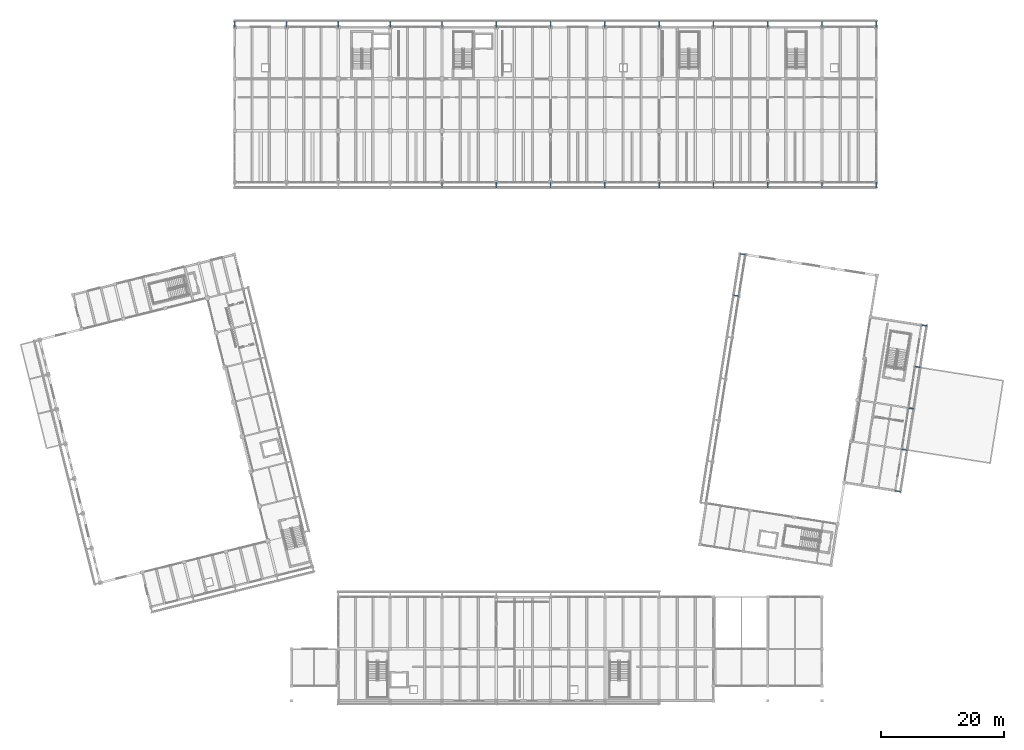
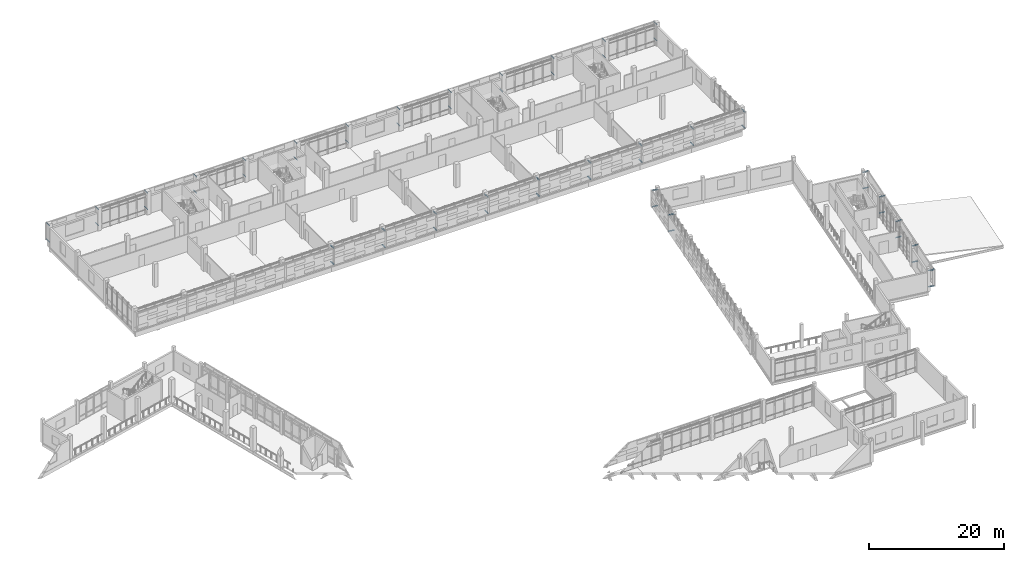
# One storey, part 92 of 137: 58 members.
"""IFC4 building model written with IfcOpenShell, lengths in metres."""

import ifcopenshell
import ifcopenshell.guid

model = None  # the IFC model being written
_history = None  # IfcOwnerHistory: only IFC2X3 demands one
_inside = {}  # id of a spatial element -> (the spatial element, [elements in it])
_under = {}  # id of a project, library or spatial element -> (it, [spatial elements below it])
_declared = {}  # id of a project -> (the project, [libraries it declares])
_typed = {}  # id of a type object -> (the type object, [elements of that type])
_made_of = {}  # id of a material, layer set ... -> (it, [elements and type objects made of it])


def new_model(schema):
    """Start an empty IFC model of exactly this schema.

    Asked for "IFC4X3", IfcOpenShell would pick the latest addendum, in which some entities
    have other attributes; the version numbers below select the first issue.
    IFC2X3 requires an IfcOwnerHistory on every rooted entity: one is made here for all.
    """
    global model, _history
    if schema == "IFC4X3":
        model = ifcopenshell.file(schema_version=(4, 3, 0, 0))
    else:
        model = ifcopenshell.file(schema=schema)
    _inside.clear()
    _under.clear()
    _declared.clear()
    _typed.clear()
    _made_of.clear()
    _history = None
    if model.schema == "IFC2X3":
        org = make("IfcOrganization", Name="unknown")
        user = make(
            "IfcPersonAndOrganization",
            ThePerson=make("IfcPerson", FamilyName="unknown"),
            TheOrganization=org,
        )
        app = make(
            "IfcApplication",
            ApplicationDeveloper=org,
            Version="unknown",
            ApplicationFullName="unknown",
            ApplicationIdentifier="unknown",
        )
        _history = make(
            "IfcOwnerHistory",
            OwningUser=user,
            OwningApplication=app,
            ChangeAction="ADDED",
            CreationDate=0,
        )
    return model


def make(cls, **values):
    """One entity of the class cls with the attributes given. An attribute that is None is left unset."""
    return model.create_entity(
        cls, **{name: value for name, value in values.items() if value is not None}
    )


def rooted(cls, **values):
    """An entity with a GlobalId (a new one), such as an element, a storey or a relation."""
    return make(cls, GlobalId=ifcopenshell.guid.new(), OwnerHistory=_history, **values)


def si_unit(unit_type, name, prefix=None):
    """IfcSIUnit, for example si_unit("LENGTHUNIT", "METRE", prefix="MILLI")."""
    return make("IfcSIUnit", UnitType=unit_type, Prefix=prefix, Name=name)


def assignment(units):
    """IfcUnitAssignment: the units of a project."""
    return None if units is None else make("IfcUnitAssignment", Units=units)


def point(xyz):
    """IfcCartesianPoint."""
    return None if xyz is None else make("IfcCartesianPoint", Coordinates=xyz)


def direction(xyz):
    """IfcDirection."""
    return None if xyz is None else make("IfcDirection", DirectionRatios=xyz)


def frame(location, z_axis=None, x_axis=None):
    """IfcAxis2Placement3D, a coordinate frame: its origin and axes. An axis left out is left unset."""
    return make(
        "IfcAxis2Placement3D",
        Location=point(location),
        Axis=direction(z_axis),
        RefDirection=direction(x_axis),
    )


def frame_2d(location, x_axis=None):
    """IfcAxis2Placement2D, a coordinate frame in the plane: its origin and x axis."""
    return make(
        "IfcAxis2Placement2D", Location=point(location), RefDirection=direction(x_axis)
    )


def origin():
    """The frame at (0, 0, 0) with its axes left unset."""
    return frame((0.0, 0.0, 0.0))


def origin_2d():
    """The frame at (0, 0) in the plane with its x axis left unset."""
    return frame_2d((0.0, 0.0))


def place(relative_to, where):
    """IfcLocalPlacement: puts the frame where relative to a parent placement (None: the world)."""
    return make(
        "IfcLocalPlacement", PlacementRelTo=relative_to, RelativePlacement=where
    )


def context(
    kind, dimensions, precision=None, world=None, true_north=None, identifier=None
):
    """IfcGeometricRepresentationContext, for example the 3D "Model" context."""
    return make(
        "IfcGeometricRepresentationContext",
        ContextIdentifier=identifier,
        ContextType=kind,
        CoordinateSpaceDimension=dimensions,
        Precision=precision,
        WorldCoordinateSystem=world,
        TrueNorth=true_north,
    )


def subcontext(parent, identifier, kind, view, scale=None):
    """IfcGeometricRepresentationSubContext, for example "Body" below "Model"."""
    return make(
        "IfcGeometricRepresentationSubContext",
        ContextIdentifier=identifier,
        ContextType=kind,
        ParentContext=parent,
        TargetScale=scale,
        TargetView=view,
    )


def project(units=None, contexts=None):
    """IfcProject with its units and contexts."""
    return rooted(
        "IfcProject",
        Name="project",
        RepresentationContexts=contexts,
        UnitsInContext=assignment(units),
    )


def spatial(cls, under=None, at=None, **own):
    """A site, building, storey or space (cls), placed at a placement, below another one or the project."""
    s = rooted(cls, ObjectPlacement=at, **own)
    if under is not None:
        _under.setdefault(under.id(), (under, []))[1].append(s)
    return s


def profile(cls, at=None, kind="AREA", **sizes):
    """A parametric profile (cls). Its sizes go by their IFC names, for example OverallWidth=200.0."""
    return make(cls, ProfileType=kind, Position=at, **sizes)


def hollow_circle(**sizes):
    """IfcCircleHollowProfileDef."""
    return profile("IfcCircleHollowProfileDef", **sizes)


def extrude(swept, where, along, depth):
    """IfcExtrudedAreaSolid: the profile swept, set in the frame where, extruded along a direction by depth."""
    return make(
        "IfcExtrudedAreaSolid",
        SweptArea=swept,
        Position=where,
        ExtrudedDirection=direction(along),
        Depth=depth,
    )


def shape(context_of_items, identifier, shape_type, items):
    """IfcShapeRepresentation: the items that make up one representation, for example the "Body"."""
    return make(
        "IfcShapeRepresentation",
        ContextOfItems=context_of_items,
        RepresentationIdentifier=identifier,
        RepresentationType=shape_type,
        Items=items,
    )


def material(Name=None, Category=None):
    """IfcMaterial."""
    return make("IfcMaterial", Name=Name, Category=Category)


def material_profile(
    of_material, cross_section, Name=None, Category=None, Priority=None
):
    """IfcMaterialProfile: a cross section and its material."""
    return make(
        "IfcMaterialProfile",
        Name=Name,
        Material=of_material,
        Profile=cross_section,
        Priority=Priority,
        Category=Category,
    )


def profile_set(profiles, Name=None, composite=None):
    """IfcMaterialProfileSet."""
    return make(
        "IfcMaterialProfileSet",
        Name=Name,
        MaterialProfiles=profiles,
        CompositeProfile=composite,
    )


def made_of(thing, what):
    """Note that an element or type object is made of a material, layer set ...; save() writes the relation."""
    if what is not None:
        _made_of.setdefault(what.id(), (what, []))[1].append(thing)
    return thing


def type_object(cls, material=None, **own):
    """A type object (cls), such as IfcWallType, which elements share."""
    return made_of(rooted(cls, **own), material)


def element(
    cls,
    number,
    at=None,
    inside=None,
    cuts=None,
    type_object=None,
    material=None,
    context=None,
    identifier="Body",
    shape_type=None,
    held_by="IfcProductDefinitionShape",
    body=None,
    shapes=None,
    **own,
):
    """One element of the class cls, such as IfcWall. Its Tag is "e" and its number.

    at: its placement. inside: the storey or other place that contains it. cuts: it is an
    opening in that element (IfcRelVoidsElement). A single representation is given by context,
    identifier, shape_type and body (its items); several are given by shapes. held_by: the class
    of the entity that holds the representations. save() writes the other relations.
    """
    e = rooted(cls, Tag="e%d" % number, ObjectPlacement=at, **own)
    if body is not None:
        shapes = [shape(context, identifier, shape_type, body)]
    if shapes is not None:
        e.Representation = make(held_by, Representations=shapes)
    if inside is not None:
        _inside.setdefault(inside.id(), (inside, []))[1].append(e)
    if cuts is not None:
        rooted(
            "IfcRelVoidsElement", RelatingBuildingElement=cuts, RelatedOpeningElement=e
        )
    if type_object is not None:
        _typed.setdefault(type_object.id(), (type_object, []))[1].append(e)
    return made_of(e, material)


def aggregate(whole, parts):
    """IfcRelAggregates: a whole, such as a stair, and the parts it consists of."""
    return rooted("IfcRelAggregates", RelatingObject=whole, RelatedObjects=parts)


def save(model, path):
    """Write the relations noted so far, then the file.

    IfcRelAggregates (storeys below a building ...), IfcRelContainedInSpatialStructure (elements
    in a storey), IfcRelDefinesByType, IfcRelAssociatesMaterial and IfcRelDeclares: one each for
    every whole, place, type object, material and project.
    """
    for whole, parts in _under.values():
        aggregate(whole, parts)
    for where, things in _inside.values():
        rooted(
            "IfcRelContainedInSpatialStructure",
            RelatedElements=things,
            RelatingStructure=where,
        )
    for kind, things in _typed.values():
        rooted("IfcRelDefinesByType", RelatedObjects=things, RelatingType=kind)
    for what, things in _made_of.values():
        rooted("IfcRelAssociatesMaterial", RelatedObjects=things, RelatingMaterial=what)
    for by, libraries in _declared.values():
        rooted("IfcRelDeclares", RelatingContext=by, RelatedDefinitions=libraries)
    model.write(path)


model = new_model("IFC4")

# Units and contexts
model_context = context("Model", 3, precision=1e-05, world=origin(), true_north=direction((0.0, 1.0)))
body_context = subcontext(model_context, "Body", "Model", "MODEL_VIEW")
ifc_project = project(units=[si_unit("LENGTHUNIT", "METRE"), si_unit("AREAUNIT", "SQUARE_METRE"), si_unit("VOLUMEUNIT", "CUBIC_METRE"), si_unit("PLANEANGLEUNIT", "RADIAN"), si_unit("MASSUNIT", "GRAM", prefix="KILO")], contexts=[model_context])

# Site, building, storey
site_placement = place(None, origin())
site = spatial("IfcSite", under=ifc_project, at=site_placement, CompositionType="ELEMENT")
building_placement = place(site_placement, origin())
building = spatial("IfcBuilding", under=site, at=building_placement, Name="Cinderway Yard Community Centre", CompositionType="ELEMENT")
storey_placement = place(building_placement, frame((0.0, 0.0, 4.800048828125)))
storey = spatial("IfcBuildingStorey", under=building, at=storey_placement, Name="L01", CompositionType="ELEMENT", Elevation=4.800048828125)

# Members
ifc_material = material(Name="Steel S355", Category="steel")
ifc_material_profile = material_profile(ifc_material, hollow_circle(Radius=0.06982421875, WallThickness=0.00634765625, at=origin_2d()), Name="Steel S355")
ifc_profile_set = profile_set([ifc_material_profile], Name="Steel S355")
member_type = type_object("IfcMemberType", Name="STR-MEM-STRUT-CHS140", PredefinedType="STRUT", material=ifc_profile_set)
for number, where, z_axis, x_axis, name in (
    (1, (41.60009765625, 115.199951171875, 0.7099609375), (0.0, 1.0, 0.0), (-1.0, 0.0, 0.0), "Screen outrigger strut 0001"),
    (2, (41.60009765625, 115.199951171875, 3.639892578125), (0.0, 1.0, 0.0), (-1.0, 0.0, 0.0), "Screen outrigger strut 0002"),
    (3, (50.0, 115.199951171875, 0.7099609375), (0.0, 1.0, 0.0), (-1.0, 0.0, 0.0), "Screen outrigger strut 0005"),
    (4, (50.0, 115.199951171875, 3.639892578125), (0.0, 1.0, 0.0), (-1.0, 0.0, 0.0), "Screen outrigger strut 0006"),
    (5, (58.39990234375, 115.199951171875, 0.7099609375), (0.0, 1.0, 0.0), (-1.0, 0.0, 0.0), "Screen outrigger strut 0009"),
    (6, (58.39990234375, 115.199951171875, 3.639892578125), (0.0, 1.0, 0.0), (-1.0, 0.0, 0.0), "Screen outrigger strut 0010"),
    (7, (66.800048828125, 115.199951171875, 0.7099609375), (0.0, 1.0, 0.0), (-1.0, 0.0, 0.0), "Screen outrigger strut 0013"),
    (8, (66.800048828125, 115.199951171875, 3.639892578125), (0.0, 1.0, 0.0), (-1.0, 0.0, 0.0), "Screen outrigger strut 0014"),
    (9, (75.199951171875, 115.199951171875, 0.7099609375), (0.0, 1.0, 0.0), (-1.0, 0.0, 0.0), "Screen outrigger strut 0017"),
    (10, (75.199951171875, 115.199951171875, 3.639892578125), (0.0, 1.0, 0.0), (-1.0, 0.0, 0.0), "Screen outrigger strut 0018"),
    (11, (84.0, 115.199951171875, 0.7099609375), (0.0, 1.0, 0.0), (-1.0, 0.0, 0.0), "Screen outrigger strut 0021"),
    (12, (84.0, 115.199951171875, 3.639892578125), (0.0, 1.0, 0.0), (-1.0, 0.0, 0.0), "Screen outrigger strut 0022"),
    (13, (92.800048828125, 115.199951171875, 0.7099609375), (0.0, 1.0, 0.0), (-1.0, 0.0, 0.0), "Screen outrigger strut 0025"),
    (14, (92.800048828125, 115.199951171875, 3.639892578125), (0.0, 1.0, 0.0), (-1.0, 0.0, 0.0), "Screen outrigger strut 0026"),
    (15, (101.60009765625, 115.199951171875, 0.7099609375), (0.0, 1.0, 0.0), (-1.0, 0.0, 0.0), "Screen outrigger strut 0029"),
    (16, (101.60009765625, 115.199951171875, 3.639892578125), (0.0, 1.0, 0.0), (-1.0, 0.0, 0.0), "Screen outrigger strut 0030"),
    (17, (110.39990234375, 115.199951171875, 0.7099609375), (0.0, 1.0, 0.0), (-1.0, 0.0, 0.0), "Screen outrigger strut 0033"),
    (18, (110.39990234375, 115.199951171875, 3.639892578125), (0.0, 1.0, 0.0), (-1.0, 0.0, 0.0), "Screen outrigger strut 0034"),
    (19, (119.199951171875, 115.199951171875, 0.7099609375), (0.0, 1.0, 0.0), (-1.0, 0.0, 0.0), "Screen outrigger strut 0037"),
    (20, (119.199951171875, 115.199951171875, 3.639892578125), (0.0, 1.0, 0.0), (-1.0, 0.0, 0.0), "Screen outrigger strut 0038"),
    (21, (128.0, 115.199951171875, 0.7099609375), (0.0, 1.0, 0.0), (-1.0, 0.0, 0.0), "Screen outrigger strut 0041"),
    (22, (128.0, 115.199951171875, 3.639892578125), (0.0, 1.0, 0.0), (-1.0, 0.0, 0.0), "Screen outrigger strut 0042"),
    (23, (136.800048828125, 115.199951171875, 0.7099609375), (0.0, 1.0, 0.0), (-1.0, 0.0, 0.0), "Screen outrigger strut 0045"),
    (24, (136.800048828125, 115.199951171875, 3.639892578125), (0.0, 1.0, 0.0), (-1.0, 0.0, 0.0), "Screen outrigger strut 0046"),
    (25, (145.60009765625, 115.199951171875, 0.7099609375), (0.0, 1.0, 0.0), (-1.0, 0.0, 0.0), "Screen outrigger strut 0049"),
    (26, (145.60009765625, 115.199951171875, 3.639892578125), (0.0, 1.0, 0.0), (-1.0, 0.0, 0.0), "Screen outrigger strut 0050"),
):
    element("IfcMember", number, at=place(storey_placement, frame(where, z_axis=z_axis, x_axis=x_axis)), inside=storey, type_object=member_type, Name=name, PredefinedType="STRUT", context=body_context, shape_type="SweptSolid", body=[
        extrude(hollow_circle(Radius=0.06982421875, WallThickness=0.00634765625, at=origin_2d()), origin(), (0.0, 0.0, 1.0), 0.949951171875),
    ])
for number, where, z_axis, x_axis, name in (
    (27, (75.199951171875, 90.0, 0.7099609375), (0.0, -1.0, 0.0), (1.0, 0.0, 0.0), "Screen outrigger strut 0189"),
    (28, (75.199951171875, 90.0, 3.639892578125), (0.0, -1.0, 0.0), (1.0, 0.0, 0.0), "Screen outrigger strut 0190"),
    (29, (84.0, 90.0, 0.7099609375), (0.0, -1.0, 0.0), (1.0, 0.0, 0.0), "Screen outrigger strut 0193"),
    (30, (84.0, 90.0, 3.639892578125), (0.0, -1.0, 0.0), (1.0, 0.0, 0.0), "Screen outrigger strut 0194"),
    (31, (92.800048828125, 90.0, 0.7099609375), (0.0, -1.0, 0.0), (1.0, 0.0, 0.0), "Screen outrigger strut 0197"),
    (32, (92.800048828125, 90.0, 3.639892578125), (0.0, -1.0, 0.0), (1.0, 0.0, 0.0), "Screen outrigger strut 0198"),
    (33, (101.60009765625, 90.0, 0.7099609375), (0.0, -1.0, 0.0), (1.0, 0.0, 0.0), "Screen outrigger strut 0201"),
    (34, (101.60009765625, 90.0, 3.639892578125), (0.0, -1.0, 0.0), (1.0, 0.0, 0.0), "Screen outrigger strut 0202"),
    (35, (110.39990234375, 90.0, 0.7099609375), (0.0, -1.0, 0.0), (1.0, 0.0, 0.0), "Screen outrigger strut 0205"),
    (36, (110.39990234375, 90.0, 3.639892578125), (0.0, -1.0, 0.0), (1.0, 0.0, 0.0), "Screen outrigger strut 0206"),
    (37, (119.199951171875, 90.0, 0.7099609375), (0.0, -1.0, 0.0), (1.0, 0.0, 0.0), "Screen outrigger strut 0209"),
    (38, (119.199951171875, 90.0, 3.639892578125), (0.0, -1.0, 0.0), (1.0, 0.0, 0.0), "Screen outrigger strut 0210"),
    (39, (128.0, 90.0, 0.7099609375), (0.0, -1.0, 0.0), (1.0, 0.0, 0.0), "Screen outrigger strut 0213"),
    (40, (128.0, 90.0, 3.639892578125), (0.0, -1.0, 0.0), (1.0, 0.0, 0.0), "Screen outrigger strut 0214"),
    (41, (136.800048828125, 90.0, 0.7099609375), (0.0, -1.0, 0.0), (1.0, 0.0, 0.0), "Screen outrigger strut 0217"),
    (42, (136.800048828125, 90.0, 3.639892578125), (0.0, -1.0, 0.0), (1.0, 0.0, 0.0), "Screen outrigger strut 0218"),
    (43, (145.60009765625, 90.0, 0.7099609375), (0.0, -1.0, 0.0), (1.0, 0.0, 0.0), "Screen outrigger strut 0221"),
    (44, (145.60009765625, 90.0, 3.639892578125), (0.0, -1.0, 0.0), (1.0, 0.0, 0.0), "Screen outrigger strut 0222"),
):
    element("IfcMember", number, at=place(storey_placement, frame(where, z_axis=z_axis, x_axis=x_axis)), inside=storey, type_object=member_type, Name=name, PredefinedType="STRUT", context=body_context, shape_type="SweptSolid", body=[
        extrude(hollow_circle(Radius=0.06982421875, WallThickness=0.00634765625, at=origin_2d()), origin(), (0.0, 0.0, 1.0), 0.85009765625),
    ])
for number, where, z_axis, x_axis, name in (
    (45, (123.319091796875, 71.5810546875, 0.7099609375), (-0.987688378698, 0.156434224467, 0.0), (-0.156434224467, -0.987688378698, 0.0), "Screen outrigger strut 0597"),
    (46, (123.319091796875, 71.5810546875, 3.639892578125), (-0.987688378698, 0.156434224467, 0.0), (-0.156434224467, -0.987688378698, 0.0), "Screen outrigger strut 0598"),
    (47, (124.383056640625, 78.298095703125, 0.7099609375), (-0.987732690315, 0.156154194575, 0.0), (-0.156154194575, -0.987732690315, 0.0), "Screen outrigger strut 0601"),
    (48, (124.383056640625, 78.298095703125, 3.639892578125), (-0.987732690315, 0.156154194575, 0.0), (-0.156154194575, -0.987732690315, 0.0), "Screen outrigger strut 0602"),
):
    element("IfcMember", number, at=place(storey_placement, frame(where, z_axis=z_axis, x_axis=x_axis)), inside=storey, type_object=member_type, Name=name, PredefinedType="STRUT", context=body_context, shape_type="SweptSolid", body=[
        extrude(hollow_circle(Radius=0.06982421875, WallThickness=0.00634765625, at=origin_2d()), origin(), (0.0, 0.0, 1.0), 0.8505859375),
    ])
for number, where, z_axis, x_axis, name in (
    (49, (148.694091796875, 40.02294921875, 0.7099609375), (0.987681351478, -0.156478586208, 0.0), (0.156478586208, 0.987681351478, 0.0), "Screen outrigger strut 0605"),
    (50, (148.694091796875, 40.02294921875, 3.639892578125), (0.987681351478, -0.156478586208, 0.0), (0.156478586208, 0.987681351478, 0.0), "Screen outrigger strut 0606"),
    (51, (149.758056640625, 46.739990234375, 0.7099609375), (0.987681351478, -0.156478586208, 0.0), (0.156478586208, 0.987681351478, 0.0), "Screen outrigger strut 0609"),
    (52, (149.758056640625, 46.739990234375, 3.639892578125), (0.987681351478, -0.156478586208, 0.0), (0.156478586208, 0.987681351478, 0.0), "Screen outrigger strut 0610"),
):
    element("IfcMember", number, at=place(storey_placement, frame(where, z_axis=z_axis, x_axis=x_axis)), inside=storey, type_object=member_type, Name=name, PredefinedType="STRUT", context=body_context, shape_type="SweptSolid", body=[
        extrude(hollow_circle(Radius=0.06982421875, WallThickness=0.00634765625, at=origin_2d()), origin(), (0.0, 0.0, 1.0), 0.850341796875),
    ])
for number, where, z_axis, x_axis, name in (
    (53, (150.822021484375, 53.4560546875, 0.7099609375), (0.987688378698, -0.156434224467, 0.0), (0.156434224467, 0.987688378698, 0.0), "Screen outrigger strut 0613"),
    (54, (150.822021484375, 53.4560546875, 3.639892578125), (0.987688378698, -0.156434224467, 0.0), (0.156434224467, 0.987688378698, 0.0), "Screen outrigger strut 0614"),
    (55, (151.885986328125, 60.172119140625, 0.7099609375), (0.987688378698, -0.156434224467, 0.0), (0.156434224467, 0.987688378698, 0.0), "Screen outrigger strut 0617"),
    (56, (151.885986328125, 60.172119140625, 3.639892578125), (0.987688378698, -0.156434224467, 0.0), (0.156434224467, 0.987688378698, 0.0), "Screen outrigger strut 0618"),
    (57, (152.948974609375, 66.887939453125, 0.7099609375), (0.987688378698, -0.156434224467, 0.0), (0.156434224467, 0.987688378698, 0.0), "Screen outrigger strut 0621"),
    (58, (152.948974609375, 66.887939453125, 3.639892578125), (0.987688378698, -0.156434224467, 0.0), (0.156434224467, 0.987688378698, 0.0), "Screen outrigger strut 0622"),
):
    element("IfcMember", number, at=place(storey_placement, frame(where, z_axis=z_axis, x_axis=x_axis)), inside=storey, type_object=member_type, Name=name, PredefinedType="STRUT", context=body_context, shape_type="SweptSolid", body=[
        extrude(hollow_circle(Radius=0.06982421875, WallThickness=0.00634765625, at=origin_2d()), origin(), (0.0, 0.0, 1.0), 0.8505859375),
    ])

save(model, "model.ifc")
